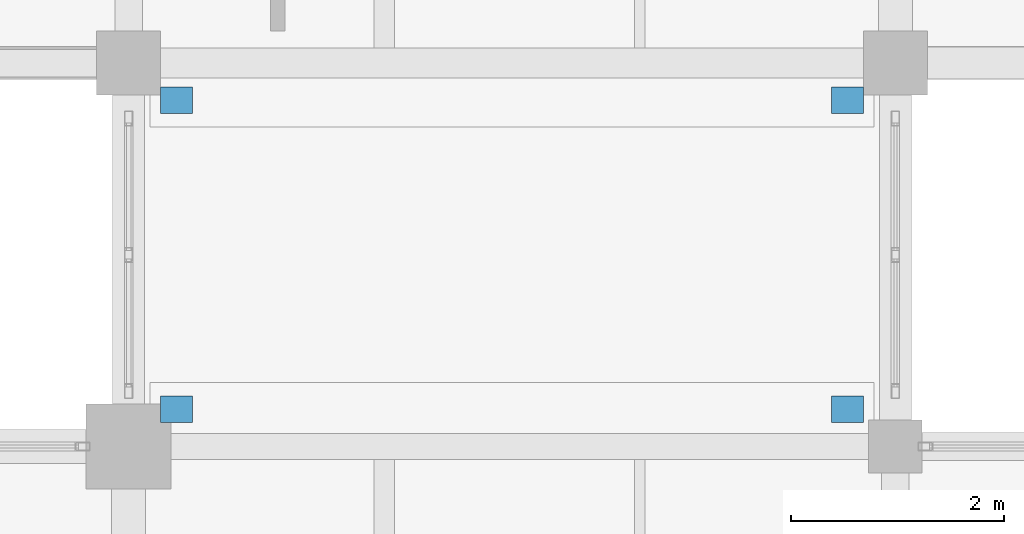
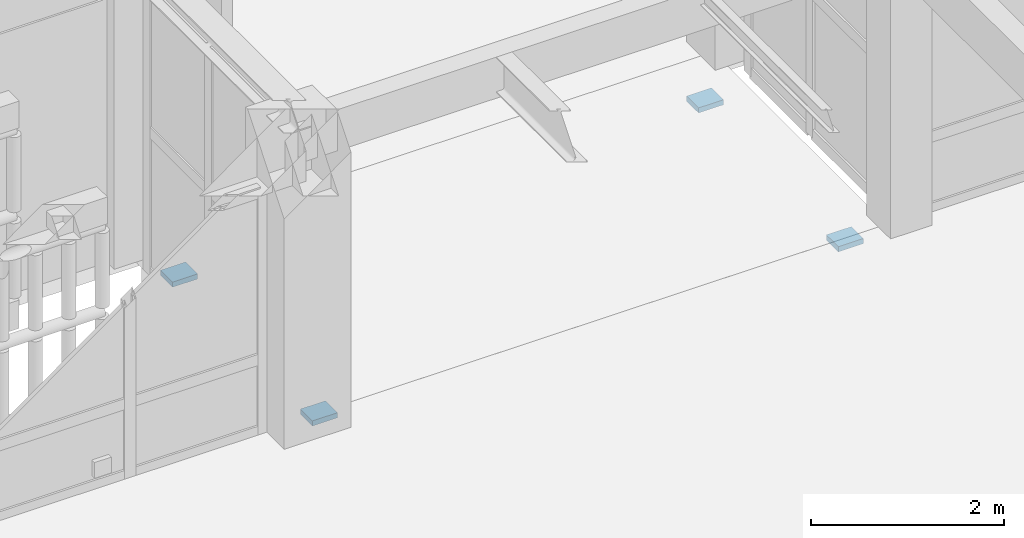
# One storey, part 147 of 170: 4 discrete accessories.
"""IFC4 building model written with IfcOpenShell, lengths in metres."""

from ifc_helpers import new_model, si_unit, direction, frame, origin, origin_2d, place, context, subcontext, project, spatial, rectangle, extrude, material, type_object, element, save


model = new_model("IFC4")

# Units and contexts
model_context = context("Model", 3, precision=1e-05, world=origin(), true_north=direction((0.0, 1.0)))
body_context = subcontext(model_context, "Body", "Model", "MODEL_VIEW")
ifc_project = project(units=[si_unit("LENGTHUNIT", "METRE"), si_unit("AREAUNIT", "SQUARE_METRE"), si_unit("VOLUMEUNIT", "CUBIC_METRE"), si_unit("PLANEANGLEUNIT", "RADIAN"), si_unit("MASSUNIT", "GRAM", prefix="KILO")], contexts=[model_context])

# Site, building, storey
site_placement = place(None, origin())
site = spatial("IfcSite", under=ifc_project, at=site_placement, CompositionType="ELEMENT")
building_placement = place(site_placement, origin())
building = spatial("IfcBuilding", under=site, at=building_placement, Name="Mazaris Harbour Polytechnic", CompositionType="ELEMENT")
storey_placement = place(building_placement, frame((0.0, 0.0, 5.39990234375)))
storey = spatial("IfcBuildingStorey", under=building, at=storey_placement, Name="L01", CompositionType="ELEMENT", Elevation=5.39990234375)

# Discrete accessories
ifc_material = material(Name="Steel S355", Category="steel")
discrete_accessory_type = type_object("IfcDiscreteAccessoryType", Name="PTFE Sliding Bridge Bearing 300x250x65 Exterior", PredefinedType="BRACKET", material=ifc_material)
for number, where, z_axis, x_axis, name in (
    (1, (130.050048828125, 43.550048828125, -0.329833984375), (0.0, 0.0, 1.0), (1.0, 0.0, 0.0), "PB-NE L01 PTFE Sliding Bearing S1"),
    (2, (136.35009765625, 43.550048828125, -0.329833984375), (0.0, 0.0, 1.0), (1.0, 0.0, 0.0), "PB-NE L01 PTFE Sliding Bearing S2"),
    (3, (130.050048828125, 46.449951171875, -0.329833984375), (0.0, 0.0, 1.0), (1.0, 0.0, 0.0), "PB-NE L01 PTFE Sliding Bearing N1"),
    (4, (136.35009765625, 46.449951171875, -0.329833984375), (0.0, 0.0, 1.0), (1.0, 0.0, 0.0), "PB-NE L01 PTFE Sliding Bearing N2"),
):
    element("IfcDiscreteAccessory", number, at=place(storey_placement, frame(where, z_axis=z_axis, x_axis=x_axis)), inside=storey, type_object=discrete_accessory_type, Name=name, PredefinedType="BRACKET", context=body_context, shape_type="SweptSolid", body=[
        extrude(rectangle(XDim=0.300048828125, YDim=0.25, at=origin_2d()), origin(), (0.0, 0.0, 1.0), 0.06494140625),
    ])

save(model, "model.ifc")
